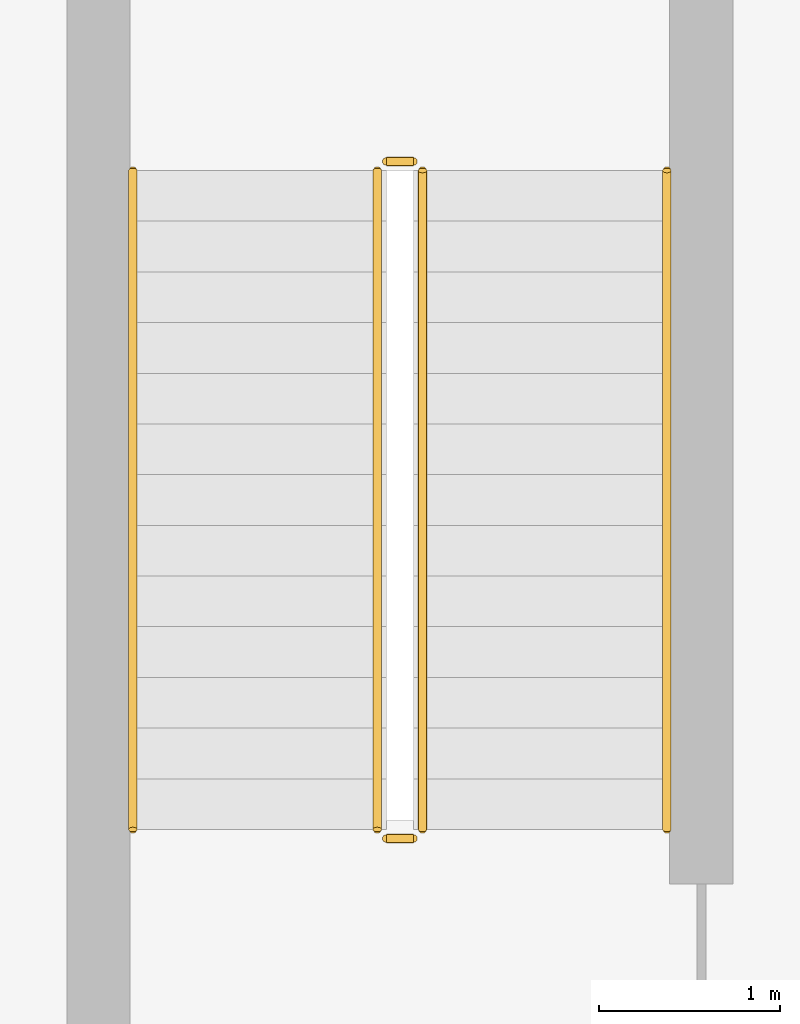
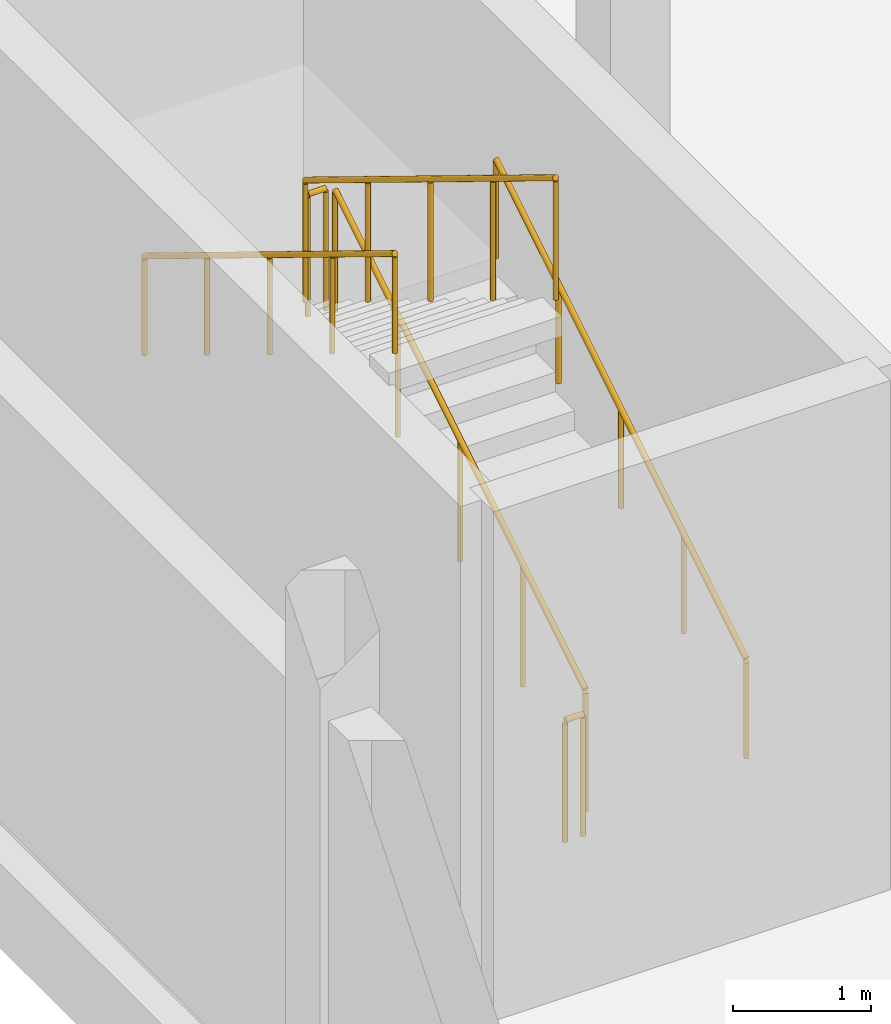
# One storey, part 53 of 54: 6 railings.
"""IFC4 building model written with IfcOpenShell, lengths in metres."""

from ifc_helpers import new_model, si_unit, direction, frame, origin, origin_2d, place, context, subcontext, project, spatial, circle, extrude, material, type_object, element, save


model = new_model("IFC4")

# Units and contexts
model_context = context("Model", 3, precision=1e-05, world=origin(), true_north=direction((0.0, 1.0)))
body_context = subcontext(model_context, "Body", "Model", "MODEL_VIEW")
ifc_project = project(units=[si_unit("LENGTHUNIT", "METRE"), si_unit("AREAUNIT", "SQUARE_METRE"), si_unit("VOLUMEUNIT", "CUBIC_METRE"), si_unit("PLANEANGLEUNIT", "RADIAN"), si_unit("MASSUNIT", "GRAM", prefix="KILO")], contexts=[model_context])

# Site, building, storey
site_placement = place(None, origin())
site = spatial("IfcSite", under=ifc_project, at=site_placement, CompositionType="ELEMENT")
building_placement = place(site_placement, origin())
building = spatial("IfcBuilding", under=site, at=building_placement, Name="Sundgate Opera House", CompositionType="ELEMENT")
storey_placement = place(building_placement, frame((0.0, 0.0, 16.800048828125)))
storey = spatial("IfcBuildingStorey", under=building, at=storey_placement, Name="L03", CompositionType="ELEMENT", Elevation=16.800048828125)

# Railings
ifc_material_1 = material(Name="Painted steel S275 guardrail", Category="steel")
railing_type_1 = type_object("IfcRailingType", Name="RL-STAIR-GUARD-1100", PredefinedType="GUARDRAIL", material=ifc_material_1)
railing_1_placement = place(storey_placement, frame((98.85009765625, 89.300048828125, 0.17138671875)))
element("IfcRailing", 1, at=railing_1_placement, inside=storey, type_object=railing_type_1, Name="ST05L03 Guardrail RL0200", PredefinedType="GUARDRAIL", context=body_context, shape_type="SweptSolid", body=[
    extrude(circle(Radius=0.02392578125, at=origin_2d()), frame((0.0, 0.0, 1.076171875), z_axis=(0.0, 0.852850264322, 0.5221555579), x_axis=(-1.0, 0.0, 0.0)), (0.0, 0.0, 1.0), 4.267822265625),
    extrude(circle(Radius=0.02099609375, at=origin_2d()), origin(), (0.0, 0.0, 1.0), 1.052001953125),
    extrude(circle(Radius=0.02099609375, at=origin_2d()), frame((0.0, 0.909912109375, 0.55712890625)), (0.0, 0.0, 1.0), 1.052001953125),
    extrude(circle(Radius=0.02099609375, at=origin_2d()), frame((0.0, 1.81982421875, 1.1142578125)), (0.0, 0.0, 1.0), 1.052001953125),
    extrude(circle(Radius=0.02099609375, at=origin_2d()), frame((0.0, 2.72998046875, 1.67138671875)), (0.0, 0.0, 1.0), 1.052001953125),
    extrude(circle(Radius=0.02099609375, at=origin_2d()), frame((0.0, 3.639892578125, 2.228515625)), (0.0, 0.0, 1.0), 1.052001953125),
])
railing_2_placement = place(storey_placement, frame((98.800048828125, 92.989990234375, 2.39990234375)))
element("IfcRailing", 2, at=railing_2_placement, inside=storey, type_object=railing_type_1, Name="ST05L03 Guardrail RL0201", PredefinedType="GUARDRAIL", context=body_context, shape_type="SweptSolid", body=[
    extrude(circle(Radius=0.02392578125, at=origin_2d()), frame((0.0, 0.0, 1.076171875), z_axis=(-1.0, 0.0, 0.0), x_axis=(0.0, -1.0, 0.0)), (0.0, 0.0, 1.0), 0.150146484375),
    extrude(circle(Radius=0.02099609375, at=origin_2d()), origin(), (0.0, 0.0, 1.0), 1.052001953125),
    extrude(circle(Radius=0.02099609375, at=origin_2d()), frame((-0.150146484375, 0.0, 0.0)), (0.0, 0.0, 1.0), 1.052001953125),
])
railing_3_placement = place(storey_placement, frame((98.60009765625, 92.93994140625, 2.5712890625)))
element("IfcRailing", 3, at=railing_3_placement, inside=storey, type_object=railing_type_1, Name="ST05L03 Guardrail RL0202", PredefinedType="GUARDRAIL", context=body_context, shape_type="SweptSolid", body=[
    extrude(circle(Radius=0.02392578125, at=origin_2d()), frame((0.0, 0.0, 1.076171875), z_axis=(0.0, -0.852824790078, 0.522197163366), x_axis=(1.0, 0.0, 0.0)), (0.0, 0.0, 1.0), 4.26806640625),
    extrude(circle(Radius=0.02099609375, at=origin_2d()), origin(), (0.0, 0.0, 1.0), 1.052001953125),
    extrude(circle(Radius=0.02099609375, at=origin_2d()), frame((0.0, -0.909912109375, 0.55712890625)), (0.0, 0.0, 1.0), 1.052001953125),
    extrude(circle(Radius=0.02099609375, at=origin_2d()), frame((0.0, -1.81982421875, 1.1142578125)), (0.0, 0.0, 1.0), 1.052001953125),
    extrude(circle(Radius=0.02099609375, at=origin_2d()), frame((0.0, -2.72998046875, 1.671630859375)), (0.0, 0.0, 1.0), 1.052001953125),
    extrude(circle(Radius=0.02099609375, at=origin_2d()), frame((0.0, -3.639892578125, 2.228759765625)), (0.0, 0.0, 1.0), 1.052001953125),
])
railing_4_placement = place(storey_placement, frame((98.800048828125, 89.25, 0.0)))
element("IfcRailing", 4, at=railing_4_placement, inside=storey, type_object=railing_type_1, Name="ST05L03 Guardrail RL0203", PredefinedType="GUARDRAIL", context=body_context, shape_type="SweptSolid", body=[
    extrude(circle(Radius=0.02392578125, at=origin_2d()), frame((0.0, 0.0, 1.076171875), z_axis=(-1.0, 0.0, 0.0), x_axis=(0.0, -1.0, 0.0)), (0.0, 0.0, 1.0), 0.150146484375),
    extrude(circle(Radius=0.02099609375, at=origin_2d()), origin(), (0.0, 0.0, 1.0), 1.052001953125),
    extrude(circle(Radius=0.02099609375, at=origin_2d()), frame((-0.150146484375, 0.0, 0.0)), (0.0, 0.0, 1.0), 1.052001953125),
])
ifc_material_2 = material(Name="Brushed stainless steel handrail", Category="steel")
railing_type_2 = type_object("IfcRailingType", Name="RL-STAIR-HAND-900", PredefinedType="HANDRAIL", material=ifc_material_2)
railing_5_placement = place(storey_placement, frame((100.199951171875, 89.300048828125, 0.17138671875)))
element("IfcRailing", 5, at=railing_5_placement, inside=storey, type_object=railing_type_2, Name="ST05L03 Handrail RL0204", PredefinedType="HANDRAIL", context=body_context, shape_type="SweptSolid", body=[
    extrude(circle(Radius=0.02392578125, at=origin_2d()), frame((0.0, 0.0, 0.8759765625), z_axis=(0.0, 0.852850264322, 0.5221555579), x_axis=(-1.0, 0.0, 0.0)), (0.0, 0.0, 1.0), 4.267822265625),
    extrude(circle(Radius=0.02099609375, at=origin_2d()), origin(), (0.0, 0.0, 1.0), 0.851806640625),
    extrude(circle(Radius=0.02099609375, at=origin_2d()), frame((0.0, 0.909912109375, 0.55712890625)), (0.0, 0.0, 1.0), 0.851806640625),
    extrude(circle(Radius=0.02099609375, at=origin_2d()), frame((0.0, 1.81982421875, 1.1142578125)), (0.0, 0.0, 1.0), 0.851806640625),
    extrude(circle(Radius=0.02099609375, at=origin_2d()), frame((0.0, 2.72998046875, 1.67138671875)), (0.0, 0.0, 1.0), 0.851806640625),
    extrude(circle(Radius=0.02099609375, at=origin_2d()), frame((0.0, 3.639892578125, 2.228515625)), (0.0, 0.0, 1.0), 0.851806640625),
])
railing_6_placement = place(storey_placement, frame((97.25, 92.93994140625, 2.5712890625)))
element("IfcRailing", 6, at=railing_6_placement, inside=storey, type_object=railing_type_2, Name="ST05L03 Handrail RL0205", PredefinedType="HANDRAIL", context=body_context, shape_type="SweptSolid", body=[
    extrude(circle(Radius=0.02392578125, at=origin_2d()), frame((0.0, 0.0, 0.8759765625), z_axis=(0.0, -0.852824790078, 0.522197163366), x_axis=(1.0, 0.0, 0.0)), (0.0, 0.0, 1.0), 4.26806640625),
    extrude(circle(Radius=0.02099609375, at=origin_2d()), origin(), (0.0, 0.0, 1.0), 0.851806640625),
    extrude(circle(Radius=0.02099609375, at=origin_2d()), frame((0.0, -0.909912109375, 0.55712890625)), (0.0, 0.0, 1.0), 0.851806640625),
    extrude(circle(Radius=0.02099609375, at=origin_2d()), frame((0.0, -1.81982421875, 1.1142578125)), (0.0, 0.0, 1.0), 0.851806640625),
    extrude(circle(Radius=0.02099609375, at=origin_2d()), frame((0.0, -2.72998046875, 1.671630859375)), (0.0, 0.0, 1.0), 0.851806640625),
    extrude(circle(Radius=0.02099609375, at=origin_2d()), frame((0.0, -3.639892578125, 2.228759765625)), (0.0, 0.0, 1.0), 0.851806640625),
])

save(model, "model.ifc")
